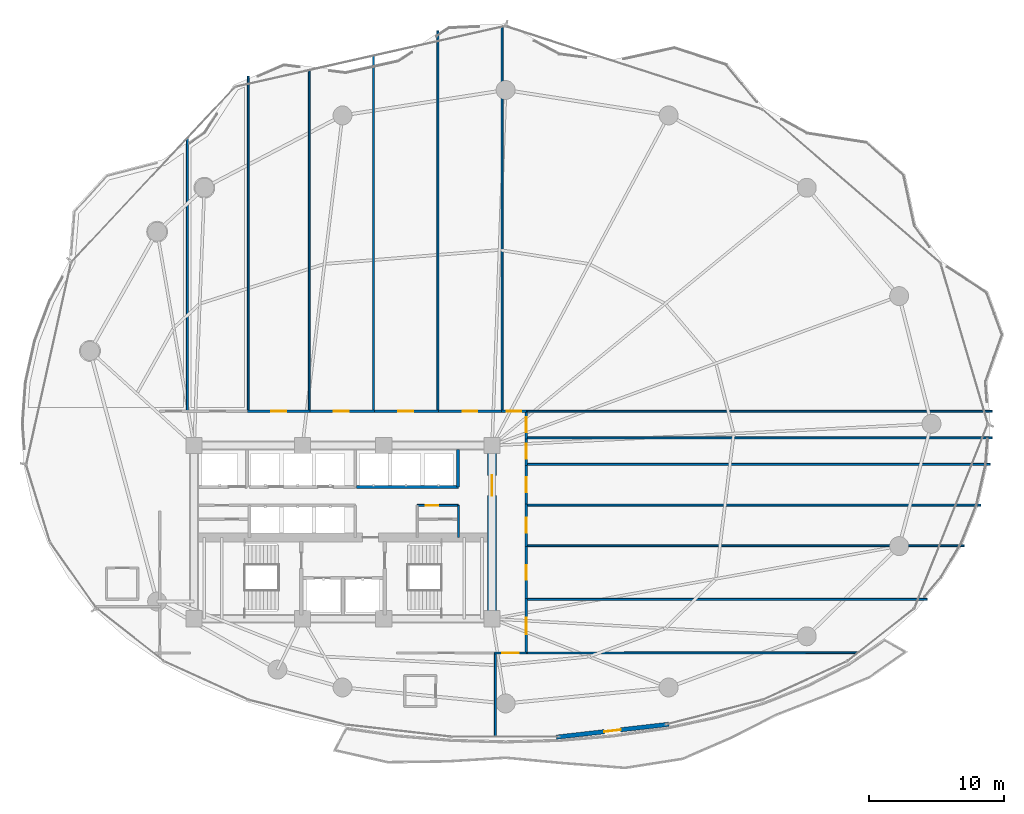
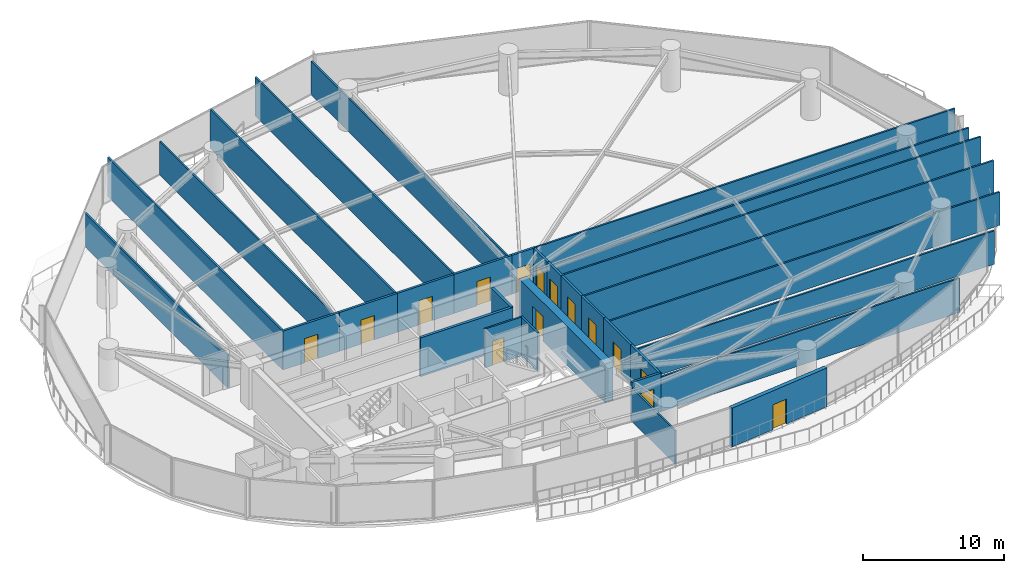
# One storey, part 27 of 33: 32 walls, 15 doors, 15 openings.
"""IFC4 building model written with IfcOpenShell, lengths in metres."""

from ifc_helpers import new_model, si_unit, direction, frame, frame_2d, origin, place, context, subcontext, project, spatial, rectangle, extrude, material, layer, layer_set, type_object, element, fill, save


model = new_model("IFC4")

# Units and contexts
model_context = context("Model", 3, precision=1e-05, world=origin(), true_north=direction((0.0, 1.0)))
body_context = subcontext(model_context, "Body", "Model", "MODEL_VIEW")
ifc_project = project(units=[si_unit("LENGTHUNIT", "METRE"), si_unit("AREAUNIT", "SQUARE_METRE"), si_unit("VOLUMEUNIT", "CUBIC_METRE"), si_unit("PLANEANGLEUNIT", "RADIAN"), si_unit("MASSUNIT", "GRAM", prefix="KILO")], contexts=[model_context])

# Site, building, storey
site_placement = place(None, origin())
site = spatial("IfcSite", under=ifc_project, at=site_placement, CompositionType="ELEMENT")
building_placement = place(site_placement, origin())
building = spatial("IfcBuilding", under=site, at=building_placement, Name="Kazevale Care Tower and Concert Hall", CompositionType="ELEMENT")
storey_placement = place(building_placement, frame((0.0, 0.0, 45.60009765625)))
storey = spatial("IfcBuildingStorey", under=building, at=storey_placement, Name="L11", CompositionType="ELEMENT", Elevation=45.60009765625)

# Wall
ifc_material_1 = material(Name="Acoustic Gypsum on Steel Stud", Category="steel")
ifc_layer_1 = layer(ifc_material_1, 0.139892578125)
ifc_layer_set_1 = layer_set([ifc_layer_1], Name="Acoustic Gypsum on Steel Stud")
wall_type_1 = type_object("IfcWallType", Name="Acoustic Care & Suite Partition 140", PredefinedType="PARTITIONING", material=ifc_layer_set_1)
wall_1_placement = place(storey_placement, frame((41.52001953125, 29.6201171875, 0.0), z_axis=(0.0, 0.0, 1.0), x_axis=(0.0, 1.0, 0.0)))
element("IfcWall", 1, at=wall_1_placement, inside=storey, type_object=wall_type_1, Name="wall:L11:kc_ee", PredefinedType="PARTITIONING", context=body_context, shape_type="SweptSolid", body=[
    extrude(rectangle(XDim=2.35986328125, YDim=0.139892578125, at=frame_2d((1.179931640625, 0.0))), origin(), (0.0, 0.0, 1.0), 3.35986328125),
])

# Wall, opening, door
wall_2_placement = place(storey_placement, frame((38.47998046875, 31.97998046875, 0.0), z_axis=(0.0, 0.0, 1.0), x_axis=(1.0, 0.0, 0.0)))
wall_2 = element("IfcWall", 2, at=wall_2_placement, inside=storey, type_object=wall_type_1, Name="wall:L11:kc_en", PredefinedType="PARTITIONING", context=body_context, shape_type="SweptSolid", body=[
    extrude(rectangle(XDim=3.0400390625, YDim=0.139892578125, at=frame_2d((1.52001953125, 0.0))), origin(), (0.0, 0.0, 1.0), 3.35986328125),
])
opening_1_placement = place(wall_2_placement, frame((0.614013671875, 0.0, 0.0)))
opening_1 = element("IfcOpeningElement", 3, at=opening_1_placement, cuts=wall_2, Name="Opening ID-900", PredefinedType="OPENING", context=body_context, shape_type="SweptSolid", body=[
    extrude(rectangle(XDim=0.919921875, YDim=2.10009765625, at=frame_2d((0.4599609375, 1.050048828125))), frame((0.0, 0.079833984375, 0.0), z_axis=(0.0, -1.0, 0.0), x_axis=(1.0, 0.0, 0.0)), (0.0, 0.0, 1.0), 0.159912109375),
])
ifc_material_2 = material(Name="Oak Timber Fire Leaf", Category="wood")
door_type_1 = type_object("IfcDoorType", Name="Bathroom & Service Door 920x2100", OperationType="NOTDEFINED", PredefinedType="DOOR", material=ifc_material_2)
door_1_placement = place(opening_1_placement, origin())
door_1 = element("IfcDoor", 4, at=door_1_placement, inside=storey, type_object=door_type_1, Name="door:L11:d_kcet", OperationType="SINGLE_SWING_LEFT", OverallHeight=2.10009765625, OverallWidth=0.919921875, PredefinedType="DOOR", context=body_context, shape_type="SweptSolid", body=[
    extrude(rectangle(XDim=0.919921875, YDim=2.10009765625, at=frame_2d((0.4599609375, 1.050048828125))), frame((0.0, 0.02490234375, 0.0), z_axis=(0.0, -1.0, 0.0), x_axis=(1.0, 0.0, 0.0)), (0.0, 0.0, 1.0), 0.050048828125),
])
fill(opening_1, door_1)

# Walls
wall_3_placement = place(storey_placement, frame((21.5, 59.085205078125, 0.0), z_axis=(0.0, 0.0, 1.0), x_axis=(0.0, -1.0, 0.0)))
element("IfcWall", 5, at=wall_3_placement, inside=storey, type_object=wall_type_1, Name="wall:L11:auto_019", PredefinedType="PARTITIONING", context=body_context, shape_type="SweptSolid", body=[
    extrude(rectangle(XDim=20.190185546875, YDim=0.139892578125, at=frame_2d((10.09521484375, 0.0))), origin(), (0.0, 0.0, 1.0), 2.889892578125),
])
wall_4_placement = place(storey_placement, frame((26.0, 63.674072265625, 0.0), z_axis=(0.0, 0.0, 1.0), x_axis=(0.0, -1.0, 0.0)))
element("IfcWall", 6, at=wall_4_placement, inside=storey, type_object=wall_type_1, Name="wall:L11:auto_020", PredefinedType="PARTITIONING", context=body_context, shape_type="SweptSolid", body=[
    extrude(rectangle(XDim=24.779052734375, YDim=0.139892578125, at=frame_2d((12.3896484375, 0.0))), origin(), (0.0, 0.0, 1.0), 3.35986328125),
])
wall_5_placement = place(storey_placement, frame((30.5, 64.098388671875, 0.0), z_axis=(0.0, 0.0, 1.0), x_axis=(0.0, -1.0, 0.0)))
element("IfcWall", 7, at=wall_5_placement, inside=storey, type_object=wall_type_1, Name="wall:L11:auto_021", PredefinedType="PARTITIONING", context=body_context, shape_type="SweptSolid", body=[
    extrude(rectangle(XDim=25.203369140625, YDim=0.139892578125, at=frame_2d((12.6015625, 0.0))), origin(), (0.0, 0.0, 1.0), 2.889892578125),
])
wall_6_placement = place(storey_placement, frame((35.25, 65.169189453125, 0.0), z_axis=(0.0, 0.0, 1.0), x_axis=(0.0, -1.0, 0.0)))
element("IfcWall", 8, at=wall_6_placement, inside=storey, type_object=wall_type_1, Name="wall:L11:auto_022", PredefinedType="PARTITIONING", context=body_context, shape_type="SweptSolid", body=[
    extrude(rectangle(XDim=26.274169921875, YDim=0.139892578125, at=frame_2d((13.13720703125, 0.0))), origin(), (0.0, 0.0, 1.0), 3.35986328125),
])
wall_7_placement = place(storey_placement, frame((40.0, 67.02099609375, 0.0), z_axis=(0.0, 0.0, 1.0), x_axis=(0.0, -1.0, 0.0)))
element("IfcWall", 9, at=wall_7_placement, inside=storey, type_object=wall_type_1, Name="wall:L11:auto_023", PredefinedType="PARTITIONING", context=body_context, shape_type="SweptSolid", body=[
    extrude(rectangle(XDim=28.1259765625, YDim=0.139892578125, at=frame_2d((14.06298828125, 0.0))), origin(), (0.0, 0.0, 1.0), 3.35986328125),
])
wall_8_placement = place(storey_placement, frame((44.75, 67.310791015625, 0.0), z_axis=(0.0, 0.0, 1.0), x_axis=(0.0, -1.0, 0.0)))
element("IfcWall", 10, at=wall_8_placement, inside=storey, type_object=wall_type_1, Name="wall:L11:auto_024", PredefinedType="PARTITIONING", context=body_context, shape_type="SweptSolid", body=[
    extrude(rectangle(XDim=28.415771484375, YDim=0.139892578125, at=frame_2d((14.2080078125, 0.0))), origin(), (0.0, 0.0, 1.0), 2.889892578125),
])
wall_9_placement = place(storey_placement, frame((80.931884765625, 38.925048828125, 0.0), z_axis=(0.0, 0.0, 1.0), x_axis=(-1.0, 0.0, 0.0)))
element("IfcWall", 11, at=wall_9_placement, inside=storey, type_object=wall_type_1, Name="wall:L11:auto_025", PredefinedType="PARTITIONING", context=body_context, shape_type="SweptSolid", body=[
    extrude(rectangle(XDim=34.471923828125, YDim=0.139892578125, at=frame_2d((17.23583984375, 0.0))), origin(), (0.0, 0.0, 1.0), 3.35986328125),
])
wall_10_placement = place(storey_placement, frame((46.4951171875, 25.0400390625, 0.0), z_axis=(0.0, 0.0, 1.0), x_axis=(1.0, 0.0, 0.0)))
element("IfcWall", 12, at=wall_10_placement, inside=storey, type_object=wall_type_1, Name="wall:L11:auto_026", PredefinedType="PARTITIONING", context=body_context, shape_type="SweptSolid", body=[
    extrude(rectangle(XDim=29.625, YDim=0.139892578125, at=frame_2d((14.8125, 0.0))), origin(), (0.0, 0.0, 1.0), 2.889892578125),
])
wall_11_placement = place(storey_placement, frame((71.0107421875, 21.094482421875, 0.0), z_axis=(0.0, 0.0, 1.0), x_axis=(-0.999999682646, -0.000796685534, 0.0)))
element("IfcWall", 13, at=wall_11_placement, inside=storey, type_object=wall_type_1, Name="wall:L11:auto_027", PredefinedType="PARTITIONING", context=body_context, shape_type="SweptSolid", body=[
    extrude(rectangle(XDim=24.515625, YDim=0.139892578125, at=frame_2d((12.2578125, 0.0))), origin(), (0.0, 0.0, 1.0), 2.995849609375),
])
wall_12_placement = place(storey_placement, frame((46.4951171875, 29.0, 0.0), z_axis=(0.0, 0.0, 1.0), x_axis=(1.0, 0.0, 0.0)))
element("IfcWall", 14, at=wall_12_placement, inside=storey, type_object=wall_type_1, Name="wall:L11:auto_028", PredefinedType="PARTITIONING", context=body_context, shape_type="SweptSolid", body=[
    extrude(rectangle(XDim=32.36083984375, YDim=0.139892578125, at=frame_2d((16.180419921875, 0.0))), origin(), (0.0, 0.0, 1.0), 2.889892578125),
])
wall_13_placement = place(storey_placement, frame((46.4951171875, 32.0, 0.0), z_axis=(0.0, 0.0, 1.0), x_axis=(1.0, 0.0, 0.0)))
element("IfcWall", 15, at=wall_13_placement, inside=storey, type_object=wall_type_1, Name="wall:L11:auto_029", PredefinedType="PARTITIONING", context=body_context, shape_type="SweptSolid", body=[
    extrude(rectangle(XDim=33.60498046875, YDim=0.139892578125, at=frame_2d((16.802490234375, 0.0))), origin(), (0.0, 0.0, 1.0), 3.35986328125),
])
wall_14_placement = place(storey_placement, frame((46.4951171875, 35.0, 0.0), z_axis=(0.0, 0.0, 1.0), x_axis=(1.0, 0.0, 0.0)))
element("IfcWall", 16, at=wall_14_placement, inside=storey, type_object=wall_type_1, Name="wall:L11:auto_030", PredefinedType="PARTITIONING", context=body_context, shape_type="SweptSolid", body=[
    extrude(rectangle(XDim=34.283935546875, YDim=0.139892578125, at=frame_2d((17.14208984375, 0.0))), origin(), (0.0, 0.0, 1.0), 3.35986328125),
])
wall_15_placement = place(storey_placement, frame((46.4951171875, 36.9599609375, 0.0), z_axis=(0.0, 0.0, 1.0), x_axis=(1.0, 0.0, 0.0)))
element("IfcWall", 17, at=wall_15_placement, inside=storey, type_object=wall_type_1, Name="wall:L11:auto_031", PredefinedType="PARTITIONING", context=body_context, shape_type="SweptSolid", body=[
    extrude(rectangle(XDim=34.427978515625, YDim=0.139892578125, at=frame_2d((17.2138671875, 0.0))), origin(), (0.0, 0.0, 1.0), 2.889892578125),
])
wall_16_placement = place(storey_placement, frame((44.25, 21.10498046875, 0.0), z_axis=(0.0, 0.0, 1.0), x_axis=(0.0, -1.0, 0.0)))
element("IfcWall", 18, at=wall_16_placement, inside=storey, type_object=wall_type_1, Name="wall:L11:auto_032", PredefinedType="PARTITIONING", context=body_context, shape_type="SweptSolid", body=[
    extrude(rectangle(XDim=6.205078125, YDim=0.139892578125, at=frame_2d((3.1025390625, 0.0))), origin(), (0.0, 0.0, 1.0), 2.889892578125),
])

# Wall, opening, door
ifc_material_3 = material(Name="Concrete C70", Category="concrete")
ifc_layer_2 = layer(ifc_material_3, 0.64990234375)
ifc_layer_set_2 = layer_set([ifc_layer_2], Name="Concrete C70")
wall_type_2 = type_object("IfcWallType", Name="Core Shear Wall 650 C70", PredefinedType="SHEAR", material=ifc_layer_set_2)
wall_17_placement = place(storey_placement, frame((44.0, 23.925048828125, 0.0), z_axis=(0.0, 0.0, 1.0), x_axis=(0.0, 1.0, 0.0)))
wall_17 = element("IfcWall", 19, at=wall_17_placement, inside=storey, type_object=wall_type_2, Name="wall:L11:core:E", PredefinedType="SHEAR", context=body_context, shape_type="SweptSolid", body=[
    extrude(rectangle(XDim=12.14990234375, YDim=0.64990234375, at=frame_2d((6.074951171875, 0.0))), origin(), (0.0, 0.0, 1.0), 3.35986328125),
])
opening_2_placement = place(wall_17_placement, frame((8.77490234375, 0.0, 0.0)))
opening_2 = element("IfcOpeningElement", 20, at=opening_2_placement, cuts=wall_17, Name="Opening FD-60D", PredefinedType="OPENING", context=body_context, shape_type="SweptSolid", body=[
    extrude(rectangle(XDim=1.5, YDim=2.14990234375, at=frame_2d((0.75, 1.074951171875))), frame((0.0, 0.3349609375, 0.0), z_axis=(0.0, -1.0, 0.0), x_axis=(1.0, 0.0, 0.0)), (0.0, 0.0, 1.0), 0.669921875),
])
door_type_2 = type_object("IfcDoorType", Name="Double Lobby & Auditorium Fire Door 1500x2150", OperationType="NOTDEFINED", PredefinedType="DOOR", material=ifc_material_2)
door_2_placement = place(opening_2_placement, origin())
door_2 = element("IfcDoor", 21, at=door_2_placement, inside=storey, type_object=door_type_2, Name="door:L11:core_east_out", OperationType="DOUBLE_DOOR_SINGLE_SWING", OverallHeight=2.14990234375, OverallWidth=1.5, PredefinedType="DOOR", context=body_context, shape_type="SweptSolid", body=[
    extrude(rectangle(XDim=1.5, YDim=2.14990234375, at=frame_2d((0.75, 1.074951171875))), frame((0.0, 0.02490234375, 0.0), z_axis=(0.0, -1.0, 0.0), x_axis=(1.0, 0.0, 0.0)), (0.0, 0.0, 1.0), 0.050048828125),
])
fill(opening_2, door_2)

# Walls
ifc_material_4 = material(Name="Concrete C40", Category="concrete")
ifc_layer_3 = layer(ifc_material_4, 0.219970703125)
ifc_layer_set_3 = layer_set([ifc_layer_3], Name="Concrete C40")
wall_type_3 = type_object("IfcWallType", Name="Elevator Hoistway Shaft Wall 220", PredefinedType="SOLIDWALL", material=ifc_layer_set_3)
wall_18_placement = place(storey_placement, frame((33.97998046875, 33.35009765625, 0.0), z_axis=(0.0, 0.0, 1.0), x_axis=(1.0, 0.0, 0.0)))
element("IfcWall", 22, at=wall_18_placement, inside=storey, type_object=wall_type_3, Name="wall:L11:c_pm_s", PredefinedType="SOLIDWALL", context=body_context, shape_type="SweptSolid", body=[
    extrude(rectangle(XDim=7.5400390625, YDim=0.219970703125, at=frame_2d((3.77001953125, 0.0))), origin(), (0.0, 0.0, 1.0), 3.35986328125),
])
wall_19_placement = place(storey_placement, frame((41.5, 33.35009765625, 0.0), z_axis=(0.0, 0.0, 1.0), x_axis=(0.0, 1.0, 0.0)))
element("IfcWall", 23, at=wall_19_placement, inside=storey, type_object=wall_type_3, Name="wall:L11:c_pm_e", PredefinedType="SOLIDWALL", context=body_context, shape_type="SweptSolid", body=[
    extrude(rectangle(XDim=2.75, YDim=0.219970703125, at=frame_2d((1.375, 0.0))), origin(), (0.0, 0.0, 1.0), 3.35986328125),
])

# Wall, opening, door
ifc_material_5 = material(Name="Concrete C40 and Acoustic Gypsum", Category="concrete")
ifc_layer_4 = layer(ifc_material_5, 0.179931640625)
ifc_layer_set_4 = layer_set([ifc_layer_4], Name="Concrete C40 and Acoustic Gypsum")
wall_type_4 = type_object("IfcWallType", Name="Fire-Rated Corridor & Party Wall 180", PredefinedType="PARTITIONING", material=ifc_layer_set_4)
wall_20_placement = place(storey_placement, frame((25.93505859375, 38.925048828125, 0.0), z_axis=(0.0, 0.0, 1.0), x_axis=(1.0, 0.0, 0.0)))
wall_20 = element("IfcWall", 24, at=wall_20_placement, inside=storey, type_object=wall_type_4, Name="wall:L11:auto_003", PredefinedType="PARTITIONING", context=body_context, shape_type="SweptSolid", body=[
    extrude(rectangle(XDim=4.6298828125, YDim=0.179931640625, at=frame_2d((2.31494140625, 0.0))), origin(), (0.0, 0.0, 1.0), 3.35986328125),
])
opening_3_placement = place(wall_20_placement, frame((1.764892578125, 0.0, 0.0)))
opening_3 = element("IfcOpeningElement", 25, at=opening_3_placement, cuts=wall_20, Name="Opening ID-1100", PredefinedType="OPENING", context=body_context, shape_type="SweptSolid", body=[
    extrude(rectangle(XDim=1.10009765625, YDim=2.10009765625, at=frame_2d((0.550048828125, 1.050048828125))), frame((0.0, 0.099853515625, 0.0), z_axis=(0.0, -1.0, 0.0), x_axis=(1.0, 0.0, 0.0)), (0.0, 0.0, 1.0), 0.199951171875),
])
door_type_3 = type_object("IfcDoorType", Name="Care Bedroom Accessible Door 1100x2100", OperationType="NOTDEFINED", PredefinedType="DOOR", material=ifc_material_2)
door_3_placement = place(opening_3_placement, origin())
door_3 = element("IfcDoor", 26, at=door_3_placement, inside=storey, type_object=door_type_3, Name="door:L11:ad_003", OperationType="SINGLE_SWING_LEFT", OverallHeight=2.10009765625, OverallWidth=1.10009765625, PredefinedType="DOOR", context=body_context, shape_type="SweptSolid", body=[
    extrude(rectangle(XDim=1.10009765625, YDim=2.10009765625, at=frame_2d((0.550048828125, 1.050048828125))), frame((0.0, 0.02490234375, 0.0), z_axis=(0.0, -1.0, 0.0), x_axis=(1.0, 0.0, 0.0)), (0.0, 0.0, 1.0), 0.050048828125),
])
fill(opening_3, door_3)

wall_21_placement = place(storey_placement, frame((30.43505859375, 38.925048828125, 0.0), z_axis=(0.0, 0.0, 1.0), x_axis=(1.0, 0.0, 0.0)))
wall_21 = element("IfcWall", 27, at=wall_21_placement, inside=storey, type_object=wall_type_4, Name="wall:L11:auto_004", PredefinedType="PARTITIONING", context=body_context, shape_type="SweptSolid", body=[
    extrude(rectangle(XDim=4.8798828125, YDim=0.179931640625, at=frame_2d((2.43994140625, 0.0))), origin(), (0.0, 0.0, 1.0), 3.35986328125),
])
opening_4_placement = place(wall_21_placement, frame((1.889892578125, 0.0, 0.0)))
opening_4 = element("IfcOpeningElement", 28, at=opening_4_placement, cuts=wall_21, Name="Opening ID-1100", PredefinedType="OPENING", context=body_context, shape_type="SweptSolid", body=[
    extrude(rectangle(XDim=1.10009765625, YDim=2.10009765625, at=frame_2d((0.550048828125, 1.050048828125))), frame((0.0, 0.099853515625, 0.0), z_axis=(0.0, -1.0, 0.0), x_axis=(1.0, 0.0, 0.0)), (0.0, 0.0, 1.0), 0.199951171875),
])
door_4_placement = place(opening_4_placement, origin())
door_4 = element("IfcDoor", 29, at=door_4_placement, inside=storey, type_object=door_type_3, Name="door:L11:ad_004", OperationType="SINGLE_SWING_LEFT", OverallHeight=2.10009765625, OverallWidth=1.10009765625, PredefinedType="DOOR", context=body_context, shape_type="SweptSolid", body=[
    extrude(rectangle(XDim=1.10009765625, YDim=2.10009765625, at=frame_2d((0.550048828125, 1.050048828125))), frame((0.0, 0.02490234375, 0.0), z_axis=(0.0, -1.0, 0.0), x_axis=(1.0, 0.0, 0.0)), (0.0, 0.0, 1.0), 0.050048828125),
])
fill(opening_4, door_4)

wall_22_placement = place(storey_placement, frame((35.18505859375, 38.925048828125, 0.0), z_axis=(0.0, 0.0, 1.0), x_axis=(1.0, 0.0, 0.0)))
wall_22 = element("IfcWall", 30, at=wall_22_placement, inside=storey, type_object=wall_type_4, Name="wall:L11:auto_005", PredefinedType="PARTITIONING", context=body_context, shape_type="SweptSolid", body=[
    extrude(rectangle(XDim=4.8798828125, YDim=0.179931640625, at=frame_2d((2.43994140625, 0.0))), origin(), (0.0, 0.0, 1.0), 3.35986328125),
])
opening_5_placement = place(wall_22_placement, frame((1.889892578125, 0.0, 0.0)))
opening_5 = element("IfcOpeningElement", 31, at=opening_5_placement, cuts=wall_22, Name="Opening ID-1100", PredefinedType="OPENING", context=body_context, shape_type="SweptSolid", body=[
    extrude(rectangle(XDim=1.10009765625, YDim=2.10009765625, at=frame_2d((0.550048828125, 1.050048828125))), frame((0.0, 0.099853515625, 0.0), z_axis=(0.0, -1.0, 0.0), x_axis=(1.0, 0.0, 0.0)), (0.0, 0.0, 1.0), 0.199951171875),
])
door_5_placement = place(opening_5_placement, origin())
door_5 = element("IfcDoor", 32, at=door_5_placement, inside=storey, type_object=door_type_3, Name="door:L11:ad_005", OperationType="SINGLE_SWING_LEFT", OverallHeight=2.10009765625, OverallWidth=1.10009765625, PredefinedType="DOOR", context=body_context, shape_type="SweptSolid", body=[
    extrude(rectangle(XDim=1.10009765625, YDim=2.10009765625, at=frame_2d((0.550048828125, 1.050048828125))), frame((0.0, 0.02490234375, 0.0), z_axis=(0.0, -1.0, 0.0), x_axis=(1.0, 0.0, 0.0)), (0.0, 0.0, 1.0), 0.050048828125),
])
fill(opening_5, door_5)

wall_23_placement = place(storey_placement, frame((39.93505859375, 38.925048828125, 0.0), z_axis=(0.0, 0.0, 1.0), x_axis=(1.0, 0.0, 0.0)))
wall_23 = element("IfcWall", 33, at=wall_23_placement, inside=storey, type_object=wall_type_4, Name="wall:L11:auto_006", PredefinedType="PARTITIONING", context=body_context, shape_type="SweptSolid", body=[
    extrude(rectangle(XDim=4.8798828125, YDim=0.179931640625, at=frame_2d((2.43994140625, 0.0))), origin(), (0.0, 0.0, 1.0), 3.35986328125),
])
opening_6_placement = place(wall_23_placement, frame((1.889892578125, 0.0, 0.0)))
opening_6 = element("IfcOpeningElement", 34, at=opening_6_placement, cuts=wall_23, Name="Opening ID-1100", PredefinedType="OPENING", context=body_context, shape_type="SweptSolid", body=[
    extrude(rectangle(XDim=1.10009765625, YDim=2.10009765625, at=frame_2d((0.550048828125, 1.050048828125))), frame((0.0, 0.099853515625, 0.0), z_axis=(0.0, -1.0, 0.0), x_axis=(1.0, 0.0, 0.0)), (0.0, 0.0, 1.0), 0.199951171875),
])
door_6_placement = place(opening_6_placement, origin())
door_6 = element("IfcDoor", 35, at=door_6_placement, inside=storey, type_object=door_type_3, Name="door:L11:ad_006", OperationType="SINGLE_SWING_LEFT", OverallHeight=2.10009765625, OverallWidth=1.10009765625, PredefinedType="DOOR", context=body_context, shape_type="SweptSolid", body=[
    extrude(rectangle(XDim=1.10009765625, YDim=2.10009765625, at=frame_2d((0.550048828125, 1.050048828125))), frame((0.0, 0.02490234375, 0.0), z_axis=(0.0, -1.0, 0.0), x_axis=(1.0, 0.0, 0.0)), (0.0, 0.0, 1.0), 0.050048828125),
])
fill(opening_6, door_6)

wall_24_placement = place(storey_placement, frame((44.68505859375, 38.925048828125, 0.0), z_axis=(0.0, 0.0, 1.0), x_axis=(1.0, 0.0, 0.0)))
wall_24 = element("IfcWall", 36, at=wall_24_placement, inside=storey, type_object=wall_type_4, Name="wall:L11:auto_007", PredefinedType="PARTITIONING", context=body_context, shape_type="SweptSolid", body=[
    extrude(rectangle(XDim=1.869873046875, YDim=0.179931640625, at=frame_2d((0.93505859375, 0.0))), origin(), (0.0, 0.0, 1.0), 3.35986328125),
])
opening_7_placement = place(wall_24_placement, frame((0.385009765625, 0.0, 0.0)))
opening_7 = element("IfcOpeningElement", 37, at=opening_7_placement, cuts=wall_24, Name="Opening ID-1100", PredefinedType="OPENING", context=body_context, shape_type="SweptSolid", body=[
    extrude(rectangle(XDim=1.10009765625, YDim=2.10009765625, at=frame_2d((0.550048828125, 1.050048828125))), frame((0.0, 0.099853515625, 0.0), z_axis=(0.0, -1.0, 0.0), x_axis=(1.0, 0.0, 0.0)), (0.0, 0.0, 1.0), 0.199951171875),
])
door_7_placement = place(opening_7_placement, origin())
door_7 = element("IfcDoor", 38, at=door_7_placement, inside=storey, type_object=door_type_3, Name="door:L11:ad_007", OperationType="SINGLE_SWING_LEFT", OverallHeight=2.10009765625, OverallWidth=1.10009765625, PredefinedType="DOOR", context=body_context, shape_type="SweptSolid", body=[
    extrude(rectangle(XDim=1.10009765625, YDim=2.10009765625, at=frame_2d((0.550048828125, 1.050048828125))), frame((0.0, 0.02490234375, 0.0), z_axis=(0.0, -1.0, 0.0), x_axis=(1.0, 0.0, 0.0)), (0.0, 0.0, 1.0), 0.050048828125),
])
fill(opening_7, door_7)

wall_25_placement = place(storey_placement, frame((46.52490234375, 25.10498046875, 0.0), z_axis=(0.0, 0.0, 1.0), x_axis=(0.0, -1.0, 0.0)))
wall_25 = element("IfcWall", 39, at=wall_25_placement, inside=storey, type_object=wall_type_4, Name="wall:L11:auto_008", PredefinedType="PARTITIONING", context=body_context, shape_type="SweptSolid", body=[
    extrude(rectangle(XDim=4.06005859375, YDim=0.179931640625, at=frame_2d((2.030029296875, 0.0))), origin(), (0.0, 0.0, 1.0), 3.35986328125),
])
opening_8_placement = place(wall_25_placement, frame((1.429931640625, 0.0, 0.0)))
opening_8 = element("IfcOpeningElement", 40, at=opening_8_placement, cuts=wall_25, Name="Opening ID-1200", PredefinedType="OPENING", context=body_context, shape_type="SweptSolid", body=[
    extrude(rectangle(XDim=1.199951171875, YDim=2.14990234375, at=frame_2d((0.60009765625, 1.074951171875))), frame((0.0, 0.099853515625, 0.0), z_axis=(0.0, -1.0, 0.0), x_axis=(1.0, 0.0, 0.0)), (0.0, 0.0, 1.0), 0.199951171875),
])
door_type_4 = type_object("IfcDoorType", Name="Clinical & Therapy Door 1200x2150", OperationType="NOTDEFINED", PredefinedType="DOOR", material=ifc_material_2)
door_8_placement = place(opening_8_placement, origin())
door_8 = element("IfcDoor", 41, at=door_8_placement, inside=storey, type_object=door_type_4, Name="door:L11:ad_008", OperationType="SINGLE_SWING_LEFT", OverallHeight=2.14990234375, OverallWidth=1.199951171875, PredefinedType="DOOR", context=body_context, shape_type="SweptSolid", body=[
    extrude(rectangle(XDim=1.199951171875, YDim=2.14990234375, at=frame_2d((0.60009765625, 1.074951171875))), frame((0.0, 0.02490234375, 0.0), z_axis=(0.0, -1.0, 0.0), x_axis=(1.0, 0.0, 0.0)), (0.0, 0.0, 1.0), 0.050048828125),
])
fill(opening_8, door_8)

wall_26_placement = place(storey_placement, frame((46.52490234375, 29.06494140625, 0.0), z_axis=(0.0, 0.0, 1.0), x_axis=(0.0, -1.0, 0.0)))
wall_26 = element("IfcWall", 42, at=wall_26_placement, inside=storey, type_object=wall_type_4, Name="wall:L11:auto_009", PredefinedType="PARTITIONING", context=body_context, shape_type="SweptSolid", body=[
    extrude(rectangle(XDim=4.08984375, YDim=0.179931640625, at=frame_2d((2.044921875, 0.0))), origin(), (0.0, 0.0, 1.0), 3.35986328125),
])
opening_9_placement = place(wall_26_placement, frame((1.4951171875, 0.0, 0.0)))
opening_9 = element("IfcOpeningElement", 43, at=opening_9_placement, cuts=wall_26, Name="Opening ID-1100", PredefinedType="OPENING", context=body_context, shape_type="SweptSolid", body=[
    extrude(rectangle(XDim=1.10009765625, YDim=2.10009765625, at=frame_2d((0.550048828125, 1.050048828125))), frame((0.0, 0.099853515625, 0.0), z_axis=(0.0, -1.0, 0.0), x_axis=(1.0, 0.0, 0.0)), (0.0, 0.0, 1.0), 0.199951171875),
])
door_9_placement = place(opening_9_placement, origin())
door_9 = element("IfcDoor", 44, at=door_9_placement, inside=storey, type_object=door_type_3, Name="door:L11:ad_009", OperationType="SINGLE_SWING_LEFT", OverallHeight=2.10009765625, OverallWidth=1.10009765625, PredefinedType="DOOR", context=body_context, shape_type="SweptSolid", body=[
    extrude(rectangle(XDim=1.10009765625, YDim=2.10009765625, at=frame_2d((0.550048828125, 1.050048828125))), frame((0.0, 0.02490234375, 0.0), z_axis=(0.0, -1.0, 0.0), x_axis=(1.0, 0.0, 0.0)), (0.0, 0.0, 1.0), 0.050048828125),
])
fill(opening_9, door_9)

wall_27_placement = place(storey_placement, frame((46.52490234375, 32.06494140625, 0.0), z_axis=(0.0, 0.0, 1.0), x_axis=(0.0, -1.0, 0.0)))
wall_27 = element("IfcWall", 45, at=wall_27_placement, inside=storey, type_object=wall_type_4, Name="wall:L11:auto_010", PredefinedType="PARTITIONING", context=body_context, shape_type="SweptSolid", body=[
    extrude(rectangle(XDim=3.1298828125, YDim=0.179931640625, at=frame_2d((1.56494140625, 0.0))), origin(), (0.0, 0.0, 1.0), 3.35986328125),
])
opening_10_placement = place(wall_27_placement, frame((1.014892578125, 0.0, 0.0)))
opening_10 = element("IfcOpeningElement", 46, at=opening_10_placement, cuts=wall_27, Name="Opening ID-1100", PredefinedType="OPENING", context=body_context, shape_type="SweptSolid", body=[
    extrude(rectangle(XDim=1.10009765625, YDim=2.10009765625, at=frame_2d((0.550048828125, 1.050048828125))), frame((0.0, 0.099853515625, 0.0), z_axis=(0.0, -1.0, 0.0), x_axis=(1.0, 0.0, 0.0)), (0.0, 0.0, 1.0), 0.199951171875),
])
door_10_placement = place(opening_10_placement, origin())
door_10 = element("IfcDoor", 47, at=door_10_placement, inside=storey, type_object=door_type_3, Name="door:L11:ad_010", OperationType="SINGLE_SWING_LEFT", OverallHeight=2.10009765625, OverallWidth=1.10009765625, PredefinedType="DOOR", context=body_context, shape_type="SweptSolid", body=[
    extrude(rectangle(XDim=1.10009765625, YDim=2.10009765625, at=frame_2d((0.550048828125, 1.050048828125))), frame((0.0, 0.02490234375, 0.0), z_axis=(0.0, -1.0, 0.0), x_axis=(1.0, 0.0, 0.0)), (0.0, 0.0, 1.0), 0.050048828125),
])
fill(opening_10, door_10)

wall_28_placement = place(storey_placement, frame((46.52490234375, 35.06494140625, 0.0), z_axis=(0.0, 0.0, 1.0), x_axis=(0.0, -1.0, 0.0)))
wall_28 = element("IfcWall", 48, at=wall_28_placement, inside=storey, type_object=wall_type_4, Name="wall:L11:auto_011", PredefinedType="PARTITIONING", context=body_context, shape_type="SweptSolid", body=[
    extrude(rectangle(XDim=3.1298828125, YDim=0.179931640625, at=frame_2d((1.56494140625, 0.0))), origin(), (0.0, 0.0, 1.0), 3.35986328125),
])
opening_11_placement = place(wall_28_placement, frame((1.014892578125, 0.0, 0.0)))
opening_11 = element("IfcOpeningElement", 49, at=opening_11_placement, cuts=wall_28, Name="Opening ID-1100", PredefinedType="OPENING", context=body_context, shape_type="SweptSolid", body=[
    extrude(rectangle(XDim=1.10009765625, YDim=2.10009765625, at=frame_2d((0.550048828125, 1.050048828125))), frame((0.0, 0.099853515625, 0.0), z_axis=(0.0, -1.0, 0.0), x_axis=(1.0, 0.0, 0.0)), (0.0, 0.0, 1.0), 0.199951171875),
])
door_11_placement = place(opening_11_placement, origin())
door_11 = element("IfcDoor", 50, at=door_11_placement, inside=storey, type_object=door_type_3, Name="door:L11:ad_011", OperationType="SINGLE_SWING_LEFT", OverallHeight=2.10009765625, OverallWidth=1.10009765625, PredefinedType="DOOR", context=body_context, shape_type="SweptSolid", body=[
    extrude(rectangle(XDim=1.10009765625, YDim=2.10009765625, at=frame_2d((0.550048828125, 1.050048828125))), frame((0.0, 0.02490234375, 0.0), z_axis=(0.0, -1.0, 0.0), x_axis=(1.0, 0.0, 0.0)), (0.0, 0.0, 1.0), 0.050048828125),
])
fill(opening_11, door_11)

wall_29_placement = place(storey_placement, frame((46.52490234375, 37.02490234375, 0.0), z_axis=(0.0, 0.0, 1.0), x_axis=(0.0, -1.0, 0.0)))
wall_29 = element("IfcWall", 51, at=wall_29_placement, inside=storey, type_object=wall_type_4, Name="wall:L11:auto_012", PredefinedType="PARTITIONING", context=body_context, shape_type="SweptSolid", body=[
    extrude(rectangle(XDim=2.08984375, YDim=0.179931640625, at=frame_2d((1.044921875, 0.0))), origin(), (0.0, 0.0, 1.0), 3.35986328125),
])
opening_12_placement = place(wall_29_placement, frame((0.4951171875, 0.0, 0.0)))
opening_12 = element("IfcOpeningElement", 52, at=opening_12_placement, cuts=wall_29, Name="Opening ID-1100", PredefinedType="OPENING", context=body_context, shape_type="SweptSolid", body=[
    extrude(rectangle(XDim=1.10009765625, YDim=2.10009765625, at=frame_2d((0.550048828125, 1.050048828125))), frame((0.0, 0.099853515625, 0.0), z_axis=(0.0, -1.0, 0.0), x_axis=(1.0, 0.0, 0.0)), (0.0, 0.0, 1.0), 0.199951171875),
])
door_12_placement = place(opening_12_placement, origin())
door_12 = element("IfcDoor", 53, at=door_12_placement, inside=storey, type_object=door_type_3, Name="door:L11:ad_012", OperationType="SINGLE_SWING_LEFT", OverallHeight=2.10009765625, OverallWidth=1.10009765625, PredefinedType="DOOR", context=body_context, shape_type="SweptSolid", body=[
    extrude(rectangle(XDim=1.10009765625, YDim=2.10009765625, at=frame_2d((0.550048828125, 1.050048828125))), frame((0.0, 0.02490234375, 0.0), z_axis=(0.0, -1.0, 0.0), x_axis=(1.0, 0.0, 0.0)), (0.0, 0.0, 1.0), 0.050048828125),
])
fill(opening_12, door_12)

wall_30_placement = place(storey_placement, frame((46.52490234375, 38.955078125, 0.0), z_axis=(0.0, 0.0, 1.0), x_axis=(0.0, -1.0, 0.0)))
wall_30 = element("IfcWall", 54, at=wall_30_placement, inside=storey, type_object=wall_type_4, Name="wall:L11:auto_013", PredefinedType="PARTITIONING", context=body_context, shape_type="SweptSolid", body=[
    extrude(rectangle(XDim=2.06005859375, YDim=0.179931640625, at=frame_2d((1.030029296875, 0.0))), origin(), (0.0, 0.0, 1.0), 3.35986328125),
])
opening_13_placement = place(wall_30_placement, frame((0.47998046875, 0.0, 0.0)))
opening_13 = element("IfcOpeningElement", 55, at=opening_13_placement, cuts=wall_30, Name="Opening ID-1100", PredefinedType="OPENING", context=body_context, shape_type="SweptSolid", body=[
    extrude(rectangle(XDim=1.10009765625, YDim=2.10009765625, at=frame_2d((0.550048828125, 1.050048828125))), frame((0.0, 0.099853515625, 0.0), z_axis=(0.0, -1.0, 0.0), x_axis=(1.0, 0.0, 0.0)), (0.0, 0.0, 1.0), 0.199951171875),
])
door_13_placement = place(opening_13_placement, origin())
door_13 = element("IfcDoor", 56, at=door_13_placement, inside=storey, type_object=door_type_3, Name="door:L11:ad_013", OperationType="SINGLE_SWING_LEFT", OverallHeight=2.10009765625, OverallWidth=1.10009765625, PredefinedType="DOOR", context=body_context, shape_type="SweptSolid", body=[
    extrude(rectangle(XDim=1.10009765625, YDim=2.10009765625, at=frame_2d((0.550048828125, 1.050048828125))), frame((0.0, 0.02490234375, 0.0), z_axis=(0.0, -1.0, 0.0), x_axis=(1.0, 0.0, 0.0)), (0.0, 0.0, 1.0), 0.050048828125),
])
fill(opening_13, door_13)

wall_31_placement = place(storey_placement, frame((46.554931640625, 21.074951171875, 0.0), z_axis=(0.0, 0.0, 1.0), x_axis=(-1.0, 0.0, 0.0)))
wall_31 = element("IfcWall", 57, at=wall_31_placement, inside=storey, type_object=wall_type_4, Name="wall:L11:auto_015", PredefinedType="PARTITIONING", context=body_context, shape_type="SweptSolid", body=[
    extrude(rectangle(XDim=2.369873046875, YDim=0.179931640625, at=frame_2d((1.18505859375, 0.0))), origin(), (0.0, 0.0, 1.0), 3.35986328125),
])
opening_14_placement = place(wall_31_placement, frame((0.5849609375, 0.0, 0.0)))
opening_14 = element("IfcOpeningElement", 58, at=opening_14_placement, cuts=wall_31, Name="Opening ID-1200", PredefinedType="OPENING", context=body_context, shape_type="SweptSolid", body=[
    extrude(rectangle(XDim=1.199951171875, YDim=2.14990234375, at=frame_2d((0.60009765625, 1.074951171875))), frame((0.0, 0.099853515625, 0.0), z_axis=(0.0, -1.0, 0.0), x_axis=(1.0, 0.0, 0.0)), (0.0, 0.0, 1.0), 0.199951171875),
])
door_14_placement = place(opening_14_placement, origin())
door_14 = element("IfcDoor", 59, at=door_14_placement, inside=storey, type_object=door_type_4, Name="door:L11:ad_015", OperationType="SINGLE_SWING_LEFT", OverallHeight=2.14990234375, OverallWidth=1.199951171875, PredefinedType="DOOR", context=body_context, shape_type="SweptSolid", body=[
    extrude(rectangle(XDim=1.199951171875, YDim=2.14990234375, at=frame_2d((0.60009765625, 1.074951171875))), frame((0.0, 0.02490234375, 0.0), z_axis=(0.0, -1.0, 0.0), x_axis=(1.0, 0.0, 0.0)), (0.0, 0.0, 1.0), 0.050048828125),
])
fill(opening_14, door_14)

ifc_material_6 = material(Name="Concrete C40 with Honed Limestone Cladding", Category="masonry")
ifc_layer_5 = layer(ifc_material_6, 0.320068359375)
ifc_layer_set_5 = layer_set([ifc_layer_5], Name="Concrete C40 with Honed Limestone Cladding")
wall_type_5 = type_object("IfcWallType", Name="Tower Honed Limestone Spandrel Wall 320", PredefinedType="STANDARD", material=ifc_layer_set_5)
wall_32_placement = place(storey_placement, frame((57.050048828125, 15.81201171875, 0.0), z_axis=(0.0, 0.0, 1.0), x_axis=(-0.993503192468, -0.113804246649, 0.0)))
wall_32 = element("IfcWall", 60, at=wall_32_placement, inside=storey, type_object=wall_type_5, Name="wall:L11:bal_host", PredefinedType="STANDARD", context=body_context, shape_type="SweptSolid", body=[
    extrude(rectangle(XDim=8.364501953125, YDim=0.320068359375, at=frame_2d((4.18212890625, 0.0))), origin(), (0.0, 0.0, 1.0), 3.35986328125),
])
opening_15_placement = place(wall_32_placement, frame((3.58203125, 0.0, 0.0)))
opening_15 = element("IfcOpeningElement", 61, at=opening_15_placement, cuts=wall_32, Name="Opening BD-1200", PredefinedType="OPENING", context=body_context, shape_type="SweptSolid", body=[
    extrude(rectangle(XDim=1.199951171875, YDim=2.14990234375, at=frame_2d((0.60009765625, 1.074951171875))), frame((0.0, 0.169921875, 0.0), z_axis=(0.0, -1.0, 0.0), x_axis=(1.0, 0.0, 0.0)), (0.0, 0.0, 1.0), 0.340087890625),
])
ifc_material_7 = material(Name="Aluminium 6063-T6 and Low-E Glass", Category="aluminium")
door_type_5 = type_object("IfcDoorType", Name="Sheltered Balcony Glazed Door 1200x2150", OperationType="NOTDEFINED", PredefinedType="DOOR", material=ifc_material_7)
door_15_placement = place(opening_15_placement, origin())
door_15 = element("IfcDoor", 62, at=door_15_placement, inside=storey, type_object=door_type_5, Name="door:L11:BD-1", OperationType="SINGLE_SWING_LEFT", OverallHeight=2.14990234375, OverallWidth=1.199951171875, PredefinedType="DOOR", context=body_context, shape_type="SweptSolid", body=[
    extrude(rectangle(XDim=1.199951171875, YDim=2.14990234375, at=frame_2d((0.60009765625, 1.074951171875))), frame((0.0, 0.02490234375, 0.0), z_axis=(0.0, -1.0, 0.0), x_axis=(1.0, 0.0, 0.0)), (0.0, 0.0, 1.0), 0.050048828125),
])
fill(opening_15, door_15)

save(model, "model.ifc")
